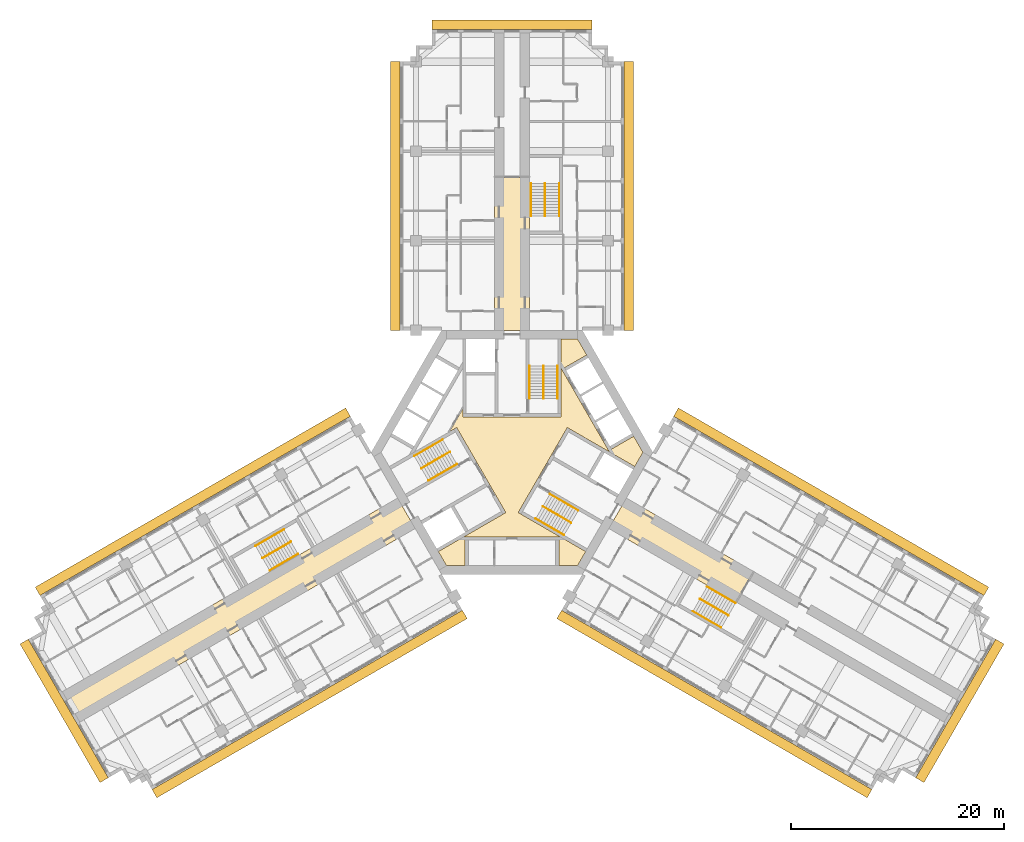
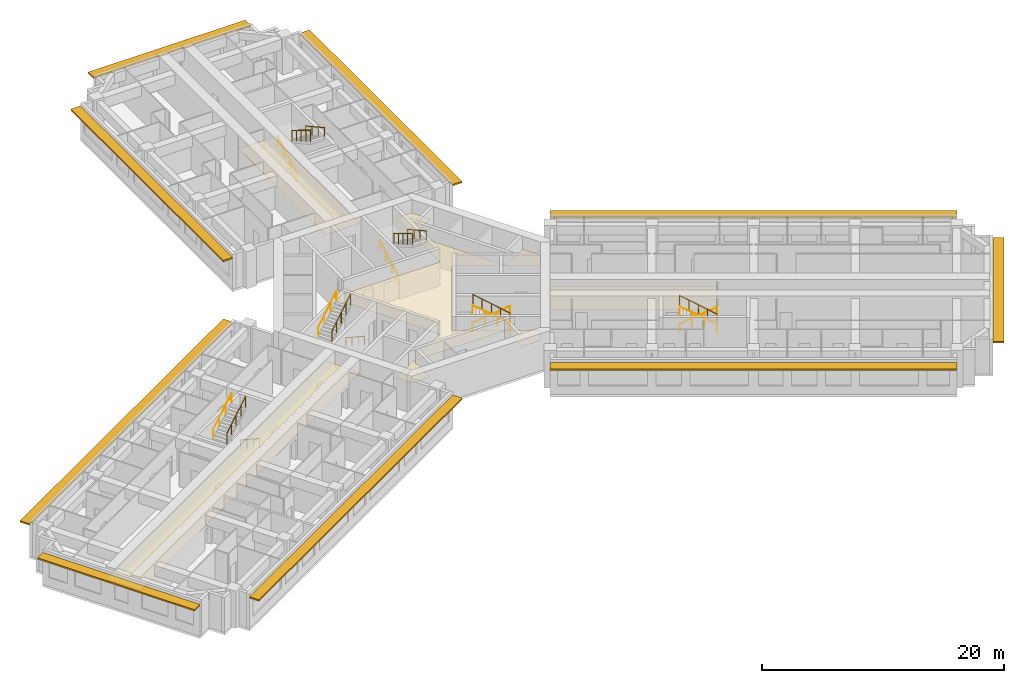
# One storey, part 14 of 14: 18 railings, 4 coverings, 3 shading devices.
"""IFC4 building model written with IfcOpenShell, lengths in metres."""

from ifc_helpers import new_model, si_unit, direction, frame, origin, origin_2d, place, context, subcontext, project, spatial, polyline, rectangle, circle, outline, extrude, material, layer, layer_set, type_object, element, save


model = new_model("IFC4")

# Units and contexts
model_context = context("Model", 3, precision=1e-05, world=origin(), true_north=direction((0.0, 1.0)))
body_context = subcontext(model_context, "Body", "Model", "MODEL_VIEW")
ifc_project = project(units=[si_unit("LENGTHUNIT", "METRE"), si_unit("AREAUNIT", "SQUARE_METRE"), si_unit("VOLUMEUNIT", "CUBIC_METRE"), si_unit("PLANEANGLEUNIT", "RADIAN"), si_unit("MASSUNIT", "GRAM", prefix="KILO")], contexts=[model_context])

# Site, building, storey
site_placement = place(None, origin())
site = spatial("IfcSite", under=ifc_project, at=site_placement, CompositionType="ELEMENT")
building_placement = place(site_placement, origin())
building = spatial("IfcBuilding", under=site, at=building_placement, Name="Impinga Residences", CompositionType="ELEMENT")
storey_placement = place(building_placement, frame((0.0, 0.0, 124.75)))
storey = spatial("IfcBuildingStorey", under=building, at=storey_placement, Name="L30", CompositionType="ELEMENT", Elevation=124.75)

# Coverings
ifc_material_1 = material(Name="Plasterboard 15 mm on steel hangers", Category="steel")
ifc_layer_1 = layer(ifc_material_1, 0.014892578125)
ifc_layer_set_1 = layer_set([ifc_layer_1], Name="Plasterboard 15 mm on steel hangers")
covering_type_1 = type_object("IfcCoveringType", Name="CL1 corridor ceiling, 15 mm plasterboard on hangers", PredefinedType="CEILING", material=ifc_layer_set_1)
covering_1_placement = place(storey_placement, frame((0.0, 0.0, 2.39990234375)))
element("IfcCovering", 1, at=covering_1_placement, inside=storey, type_object=covering_type_1, Name="Corridor ceiling CL1 L30-N00", PredefinedType="CEILING", context=body_context, shape_type="SweptSolid", body=[
    extrude(outline(polyline([(-1.64990234375, 11.431640625), (1.64990234375, 11.431640625), (1.64990234375, 25.781494140625), (-1.64990234375, 25.781494140625), (-1.64990234375, 11.431640625)])), origin(), (0.0, 0.0, 1.0), 0.01513671875),
])
covering_2_placement = place(storey_placement, frame((0.0, 0.0, 2.39990234375)))
element("IfcCovering", 2, at=covering_2_placement, inside=storey, type_object=covering_type_1, Name="Corridor ceiling CL1 L30-W00", PredefinedType="CEILING", context=body_context, shape_type="SweptSolid", body=[
    extrude(outline(polyline([(-9.074951171875, -7.144775390625), (-10.72509765625, -4.286865234375), (-42.16162109375, -22.436767578125), (-40.51171875, -25.294677734375), (-9.074951171875, -7.144775390625)])), origin(), (0.0, 0.0, 1.0), 0.01513671875),
])
covering_3_placement = place(storey_placement, frame((0.0, 0.0, 2.39990234375)))
element("IfcCovering", 3, at=covering_3_placement, inside=storey, type_object=covering_type_1, Name="Corridor ceiling CL1 L30-E00", PredefinedType="CEILING", context=body_context, shape_type="SweptSolid", body=[
    extrude(outline(polyline([(10.72509765625, -4.286865234375), (9.074951171875, -7.144775390625), (20.98291015625, -14.019775390625), (22.6328125, -11.161865234375), (10.72509765625, -4.286865234375)])), origin(), (0.0, 0.0, 1.0), 0.01513671875),
])
ifc_material_2 = material(Name="Mineral fibre tiles 20 mm on exposed grid", Category="mineral fibre")
ifc_layer_2 = layer(ifc_material_2, 0.02001953125)
ifc_layer_set_2 = layer_set([ifc_layer_2], Name="CL2 lift lobby ceiling, 20 mm mineral fibre tiles")
covering_type_2 = type_object("IfcCoveringType", Name="CL2 lift lobby ceiling, 20 mm mineral fibre tiles", PredefinedType="CEILING", material=ifc_layer_set_2)
covering_4_placement = place(storey_placement, frame((0.0, 0.0, 2.39990234375)))
element("IfcCovering", 4, at=covering_4_placement, inside=storey, type_object=covering_type_2, Name="Lift lobby ceiling CL2 L30-C01", PredefinedType="CEILING", context=body_context, shape_type="SweptSolid", body=[
    extrude(outline(polyline([(5.183837890625, 2.318603515625), (0.583984375, -5.648681640625), (6.9072265625, -9.299560546875), (6.13818359375, -10.631591796875), (4.39990234375, -10.631591796875), (4.39990234375, -7.931640625), (-4.39990234375, -7.931640625), (-4.39990234375, -10.631591796875), (-6.13818359375, -10.631591796875), (-6.9072265625, -9.299560546875), (-0.583984375, -5.648681640625), (-5.183837890625, 2.318603515625), (-5.846923828125, 1.935791015625), (-4.60009765625, 4.095703125), (-4.60009765625, 3.330078125), (4.60009765625, 3.330078125), (4.60009765625, 10.631591796875), (6.13818359375, 10.631591796875), (7.007080078125, 9.126220703125), (4.6689453125, 7.7763671875), (9.06884765625, 0.1552734375), (11.4072265625, 1.50537109375), (12.276123046875, 0.0), (11.507080078125, -1.33203125), (5.183837890625, 2.318603515625)])), origin(), (0.0, 0.0, 1.0), 0.02001953125),
])

# Railings
ifc_material_3 = material(Name="Steel guard, powder coated", Category="steel")
railing_type_1 = type_object("IfcRailingType", Name="GR1 stair guard 1100", PredefinedType="GUARDRAIL", material=ifc_material_3)
railing_1_placement = place(storey_placement, frame((2.949951171875, 8.110107421875, 1.875)))
element("IfcRailing", 5, at=railing_1_placement, inside=storey, type_object=railing_type_1, Name="Stair guard GR1 ST1 L30", PredefinedType="GUARDRAIL", context=body_context, shape_type="SweptSolid", body=[
    extrude(circle(Radius=0.02392578125, at=origin_2d()), frame((0.0, 0.0, 1.076171875), z_axis=(0.0, -0.854177636135, 0.519981313056), x_axis=(1.0, 0.0, 0.0)), (0.0, 0.0, 1.0), 3.60595703125),
    extrude(circle(Radius=0.02099609375, at=origin_2d()), origin(), (0.0, 0.0, 1.0), 1.052001953125),
    extrude(circle(Radius=0.02099609375, at=origin_2d()), frame((0.0, -0.77001953125, 0.46875)), (0.0, 0.0, 1.0), 1.052001953125),
    extrude(circle(Radius=0.02099609375, at=origin_2d()), frame((0.0, -1.5400390625, 0.9375)), (0.0, 0.0, 1.0), 1.052001953125),
    extrude(circle(Radius=0.02099609375, at=origin_2d()), frame((0.0, -2.31005859375, 1.40625)), (0.0, 0.0, 1.0), 1.052001953125),
    extrude(circle(Radius=0.02099609375, at=origin_2d()), frame((0.0, -3.080078125, 1.875)), (0.0, 0.0, 1.0), 1.052001953125),
])
railing_2_placement = place(storey_placement, frame((-8.49853515625, -1.500244140625, 1.875)))
element("IfcRailing", 6, at=railing_2_placement, inside=storey, type_object=railing_type_1, Name="Stair guard GR1 ST2 L30", PredefinedType="GUARDRAIL", context=body_context, shape_type="SweptSolid", body=[
    extrude(circle(Radius=0.02392578125, at=origin_2d()), frame((0.0, 0.0, 1.076171875), z_axis=(0.739746383972, 0.427084037168, 0.519975492303), x_axis=(-0.499992328818, 0.866029832698, 0.0)), (0.0, 0.0, 1.0), 3.60595703125),
    extrude(circle(Radius=0.02099609375, at=origin_2d()), origin(), (0.0, 0.0, 1.0), 1.052001953125),
    extrude(circle(Radius=0.02099609375, at=origin_2d()), frame((0.6669921875, 0.385009765625, 0.46875)), (0.0, 0.0, 1.0), 1.052001953125),
    extrude(circle(Radius=0.02099609375, at=origin_2d()), frame((1.333740234375, 0.77001953125, 0.9375)), (0.0, 0.0, 1.0), 1.052001953125),
    extrude(circle(Radius=0.02099609375, at=origin_2d()), frame((2.00048828125, 1.155029296875, 1.40625)), (0.0, 0.0, 1.0), 1.052001953125),
    extrude(circle(Radius=0.02099609375, at=origin_2d()), frame((2.66748046875, 1.5400390625, 1.875)), (0.0, 0.0, 1.0), 1.052001953125),
])
railing_3_placement = place(storey_placement, frame((5.548583984375, -6.60986328125, 1.875)))
element("IfcRailing", 7, at=railing_3_placement, inside=storey, type_object=railing_type_1, Name="Stair guard GR1 ST3 L30", PredefinedType="GUARDRAIL", context=body_context, shape_type="SweptSolid", body=[
    extrude(circle(Radius=0.02392578125, at=origin_2d()), frame((0.0, 0.0, 1.076171875), z_axis=(-0.739746383972, 0.427084037168, 0.519975492303), x_axis=(-0.499992328818, -0.866029832698, 0.0)), (0.0, 0.0, 1.0), 3.60595703125),
    extrude(circle(Radius=0.02099609375, at=origin_2d()), origin(), (0.0, 0.0, 1.0), 1.052001953125),
    extrude(circle(Radius=0.02099609375, at=origin_2d()), frame((-0.6669921875, 0.385009765625, 0.46875)), (0.0, 0.0, 1.0), 1.052001953125),
    extrude(circle(Radius=0.02099609375, at=origin_2d()), frame((-1.333740234375, 0.77001953125, 0.9375)), (0.0, 0.0, 1.0), 1.052001953125),
    extrude(circle(Radius=0.02099609375, at=origin_2d()), frame((-2.00048828125, 1.155029296875, 1.40625)), (0.0, 0.0, 1.0), 1.052001953125),
    extrude(circle(Radius=0.02099609375, at=origin_2d()), frame((-2.66748046875, 1.5400390625, 1.875)), (0.0, 0.0, 1.0), 1.052001953125),
])
railing_4_placement = place(storey_placement, frame((3.10009765625, 25.21142578125, 1.875)))
element("IfcRailing", 8, at=railing_4_placement, inside=storey, type_object=railing_type_1, Name="Stair guard GR1 WS1 L30", PredefinedType="GUARDRAIL", context=body_context, shape_type="SweptSolid", body=[
    extrude(circle(Radius=0.02392578125, at=origin_2d()), frame((0.0, 0.0, 1.076171875), z_axis=(0.0, -0.854159328187, 0.520011386482), x_axis=(1.0, 0.0, 0.0)), (0.0, 0.0, 1.0), 3.605712890625),
    extrude(circle(Radius=0.02099609375, at=origin_2d()), origin(), (0.0, 0.0, 1.0), 1.052001953125),
    extrude(circle(Radius=0.02099609375, at=origin_2d()), frame((0.0, -0.77001953125, 0.46875)), (0.0, 0.0, 1.0), 1.052001953125),
    extrude(circle(Radius=0.02099609375, at=origin_2d()), frame((0.0, -1.5400390625, 0.9375)), (0.0, 0.0, 1.0), 1.052001953125),
    extrude(circle(Radius=0.02099609375, at=origin_2d()), frame((0.0, -2.309814453125, 1.40625)), (0.0, 0.0, 1.0), 1.052001953125),
    extrude(circle(Radius=0.02099609375, at=origin_2d()), frame((0.0, -3.079833984375, 1.875)), (0.0, 0.0, 1.0), 1.052001953125),
])
railing_5_placement = place(storey_placement, frame((-23.3837890625, -9.921142578125, 1.875)))
element("IfcRailing", 9, at=railing_5_placement, inside=storey, type_object=railing_type_1, Name="Stair guard GR1 WS2 L30", PredefinedType="GUARDRAIL", context=body_context, shape_type="SweptSolid", body=[
    extrude(circle(Radius=0.02392578125, at=origin_2d()), frame((0.0, 0.0, 1.076171875), z_axis=(0.739715726454, 0.427105428144, 0.52000153585), x_axis=(-0.500026652407, 0.866010015463, 0.0)), (0.0, 0.0, 1.0), 3.605712890625),
    extrude(circle(Radius=0.02099609375, at=origin_2d()), origin(), (0.0, 0.0, 1.0), 1.052001953125),
    extrude(circle(Radius=0.02099609375, at=origin_2d()), frame((0.666748046875, 0.385009765625, 0.46875)), (0.0, 0.0, 1.0), 1.052001953125),
    extrude(circle(Radius=0.02099609375, at=origin_2d()), frame((1.33349609375, 0.77001953125, 0.9375)), (0.0, 0.0, 1.0), 1.052001953125),
    extrude(circle(Radius=0.02099609375, at=origin_2d()), frame((2.00048828125, 1.155029296875, 1.40625)), (0.0, 0.0, 1.0), 1.052001953125),
    extrude(circle(Radius=0.02099609375, at=origin_2d()), frame((2.667236328125, 1.5400390625, 1.875)), (0.0, 0.0, 1.0), 1.052001953125),
])
railing_6_placement = place(storey_placement, frame((20.283935546875, -15.29052734375, 1.875)))
element("IfcRailing", 10, at=railing_6_placement, inside=storey, type_object=railing_type_1, Name="Stair guard GR1 WS3 L30", PredefinedType="GUARDRAIL", context=body_context, shape_type="SweptSolid", body=[
    extrude(circle(Radius=0.02392578125, at=origin_2d()), frame((0.0, 0.0, 1.076171875), z_axis=(-0.739746383972, 0.427084037168, 0.519975492303), x_axis=(-0.499992328818, -0.866029832698, 0.0)), (0.0, 0.0, 1.0), 3.60595703125),
    extrude(circle(Radius=0.02099609375, at=origin_2d()), origin(), (0.0, 0.0, 1.0), 1.052001953125),
    extrude(circle(Radius=0.02099609375, at=origin_2d()), frame((-0.6669921875, 0.385009765625, 0.46875)), (0.0, 0.0, 1.0), 1.052001953125),
    extrude(circle(Radius=0.02099609375, at=origin_2d()), frame((-1.333740234375, 0.77001953125, 0.9375)), (0.0, 0.0, 1.0), 1.052001953125),
    extrude(circle(Radius=0.02099609375, at=origin_2d()), frame((-2.00048828125, 1.155029296875, 1.40625)), (0.0, 0.0, 1.0), 1.052001953125),
    extrude(circle(Radius=0.02099609375, at=origin_2d()), frame((-2.66748046875, 1.5400390625, 1.875)), (0.0, 0.0, 1.0), 1.052001953125),
])
ifc_material_4 = material(Name="Steel handrail tube 42 mm, powder coated", Category="steel")
railing_type_2 = type_object("IfcRailingType", Name="HR1 stair handrail, 42 mm steel tube, 900 above the pitch line", PredefinedType="HANDRAIL", material=ifc_material_4)
railing_7_placement = place(storey_placement, frame((1.62109375, 5.030029296875, 0.15625)))
element("IfcRailing", 11, at=railing_7_placement, inside=storey, type_object=railing_type_2, Name="Stair handrail HR1 ST1 L30", PredefinedType="HANDRAIL", context=body_context, shape_type="SweptSolid", body=[
    extrude(circle(Radius=0.02099609375, at=origin_2d()), frame((0.0, 0.0, 0.87890625), z_axis=(0.0, 0.873241540666, 0.487287606713), x_axis=(-1.0, 0.0, 0.0)), (0.0, 0.0, 1.0), 3.527099609375),
    extrude(circle(Radius=0.012451171875, at=origin_2d()), origin(), (0.0, 0.0, 1.0), 0.85791015625),
    extrude(circle(Radius=0.012451171875, at=origin_2d()), frame((0.0, 1.026611328125, 0.572998046875)), (0.0, 0.0, 1.0), 0.85791015625),
    extrude(circle(Radius=0.012451171875, at=origin_2d()), frame((0.0, 2.053466796875, 1.145751953125)), (0.0, 0.0, 1.0), 0.85791015625),
    extrude(circle(Radius=0.012451171875, at=origin_2d()), frame((0.0, 3.080078125, 1.71875)), (0.0, 0.0, 1.0), 0.85791015625),
])
railing_8_placement = place(storey_placement, frame((4.279052734375, 8.110107421875, 2.03125)))
element("IfcRailing", 12, at=railing_8_placement, inside=storey, type_object=railing_type_2, Name="Stair handrail HR1 ST1 L30", PredefinedType="HANDRAIL", context=body_context, shape_type="SweptSolid", body=[
    extrude(circle(Radius=0.02099609375, at=origin_2d()), frame((0.0, 0.0, 0.87890625), z_axis=(0.0, -0.873241540666, 0.487287606713), x_axis=(1.0, 0.0, 0.0)), (0.0, 0.0, 1.0), 3.527099609375),
    extrude(circle(Radius=0.012451171875, at=origin_2d()), origin(), (0.0, 0.0, 1.0), 0.85791015625),
    extrude(circle(Radius=0.012451171875, at=origin_2d()), frame((0.0, -1.026611328125, 0.572998046875)), (0.0, 0.0, 1.0), 0.85791015625),
    extrude(circle(Radius=0.012451171875, at=origin_2d()), frame((0.0, -2.053466796875, 1.145751953125)), (0.0, 0.0, 1.0), 0.85791015625),
    extrude(circle(Radius=0.012451171875, at=origin_2d()), frame((0.0, -3.080078125, 1.71875)), (0.0, 0.0, 1.0), 0.85791015625),
])
railing_9_placement = place(storey_placement, frame((-5.16650390625, -1.111083984375, 0.15625)))
element("IfcRailing", 13, at=railing_9_placement, inside=storey, type_object=railing_type_2, Name="Stair handrail HR1 ST2 L30", PredefinedType="HANDRAIL", context=body_context, shape_type="SweptSolid", body=[
    extrude(circle(Radius=0.02099609375, at=origin_2d()), frame((0.0, 0.0, 0.87890625), z_axis=(-0.756255980417, -0.436615662133, 0.487281905742), x_axis=(0.499992328818, -0.866029832698, 0.0)), (0.0, 0.0, 1.0), 3.527099609375),
    extrude(circle(Radius=0.012451171875, at=origin_2d()), origin(), (0.0, 0.0, 1.0), 0.85791015625),
    extrude(circle(Radius=0.012451171875, at=origin_2d()), frame((-0.88916015625, -0.513427734375, 0.572998046875)), (0.0, 0.0, 1.0), 0.85791015625),
    extrude(circle(Radius=0.012451171875, at=origin_2d()), frame((-1.7783203125, -1.026611328125, 1.145751953125)), (0.0, 0.0, 1.0), 0.85791015625),
    extrude(circle(Radius=0.012451171875, at=origin_2d()), frame((-2.66748046875, -1.5400390625, 1.71875)), (0.0, 0.0, 1.0), 0.85791015625),
])
railing_10_placement = place(storey_placement, frame((-9.1630859375, -0.349365234375, 2.03125)))
element("IfcRailing", 14, at=railing_10_placement, inside=storey, type_object=railing_type_2, Name="Stair handrail HR1 ST2 L30", PredefinedType="HANDRAIL", context=body_context, shape_type="SweptSolid", body=[
    extrude(circle(Radius=0.02099609375, at=origin_2d()), frame((0.0, 0.0, 0.87890625), z_axis=(0.756255980417, 0.436615662133, 0.487281905742), x_axis=(-0.499992328818, 0.866029832698, 0.0)), (0.0, 0.0, 1.0), 3.527099609375),
    extrude(circle(Radius=0.012451171875, at=origin_2d()), origin(), (0.0, 0.0, 1.0), 0.85791015625),
    extrude(circle(Radius=0.012451171875, at=origin_2d()), frame((0.88916015625, 0.513427734375, 0.572998046875)), (0.0, 0.0, 1.0), 0.85791015625),
    extrude(circle(Radius=0.012451171875, at=origin_2d()), frame((1.7783203125, 1.026611328125, 1.145751953125)), (0.0, 0.0, 1.0), 0.85791015625),
    extrude(circle(Radius=0.012451171875, at=origin_2d()), frame((2.66748046875, 1.5400390625, 1.71875)), (0.0, 0.0, 1.0), 0.85791015625),
])
railing_11_placement = place(storey_placement, frame((3.545654296875, -3.9189453125, 0.15625)))
element("IfcRailing", 15, at=railing_11_placement, inside=storey, type_object=railing_type_2, Name="Stair handrail HR1 ST3 L30", PredefinedType="HANDRAIL", context=body_context, shape_type="SweptSolid", body=[
    extrude(circle(Radius=0.02099609375, at=origin_2d()), frame((0.0, 0.0, 0.87890625), z_axis=(0.756249203677, -0.436582492228, 0.487322141317), x_axis=(0.499967199496, 0.866044340336, 0.0)), (0.0, 0.0, 1.0), 3.52685546875),
    extrude(circle(Radius=0.012451171875, at=origin_2d()), origin(), (0.0, 0.0, 1.0), 0.85791015625),
    extrude(circle(Radius=0.012451171875, at=origin_2d()), frame((0.88916015625, -0.51318359375, 0.572998046875)), (0.0, 0.0, 1.0), 0.85791015625),
    extrude(circle(Radius=0.012451171875, at=origin_2d()), frame((1.778076171875, -1.026611328125, 1.145751953125)), (0.0, 0.0, 1.0), 0.85791015625),
    extrude(circle(Radius=0.012451171875, at=origin_2d()), frame((2.667236328125, -1.539794921875, 1.71875)), (0.0, 0.0, 1.0), 0.85791015625),
])
railing_12_placement = place(storey_placement, frame((4.884033203125, -7.7607421875, 2.03125)))
element("IfcRailing", 16, at=railing_12_placement, inside=storey, type_object=railing_type_2, Name="Stair handrail HR1 ST3 L30", PredefinedType="HANDRAIL", context=body_context, shape_type="SweptSolid", body=[
    extrude(circle(Radius=0.02099609375, at=origin_2d()), frame((0.0, 0.0, 0.87890625), z_axis=(-0.756255980417, 0.436615662133, 0.487281905742), x_axis=(-0.499992328818, -0.866029832698, 0.0)), (0.0, 0.0, 1.0), 3.527099609375),
    extrude(circle(Radius=0.012451171875, at=origin_2d()), origin(), (0.0, 0.0, 1.0), 0.85791015625),
    extrude(circle(Radius=0.012451171875, at=origin_2d()), frame((-0.88916015625, 0.513427734375, 0.572998046875)), (0.0, 0.0, 1.0), 0.85791015625),
    extrude(circle(Radius=0.012451171875, at=origin_2d()), frame((-1.7783203125, 1.026611328125, 1.145751953125)), (0.0, 0.0, 1.0), 0.85791015625),
    extrude(circle(Radius=0.012451171875, at=origin_2d()), frame((-2.66748046875, 1.5400390625, 1.71875)), (0.0, 0.0, 1.0), 0.85791015625),
])
railing_13_placement = place(storey_placement, frame((1.77099609375, 22.131591796875, 0.15625)))
element("IfcRailing", 17, at=railing_13_placement, inside=storey, type_object=railing_type_2, Name="Stair handrail HR1 WS1 L30", PredefinedType="HANDRAIL", context=body_context, shape_type="SweptSolid", body=[
    extrude(circle(Radius=0.02099609375, at=origin_2d()), frame((0.0, 0.0, 0.87890625), z_axis=(0.0, 0.873225103656, 0.487317061414), x_axis=(-1.0, 0.0, 0.0)), (0.0, 0.0, 1.0), 3.52685546875),
    extrude(circle(Radius=0.012451171875, at=origin_2d()), origin(), (0.0, 0.0, 1.0), 0.85791015625),
    extrude(circle(Radius=0.012451171875, at=origin_2d()), frame((0.0, 1.026611328125, 0.572998046875)), (0.0, 0.0, 1.0), 0.85791015625),
    extrude(circle(Radius=0.012451171875, at=origin_2d()), frame((0.0, 2.05322265625, 1.145751953125)), (0.0, 0.0, 1.0), 0.85791015625),
    extrude(circle(Radius=0.012451171875, at=origin_2d()), frame((0.0, 3.079833984375, 1.71875)), (0.0, 0.0, 1.0), 0.85791015625),
])
railing_14_placement = place(storey_placement, frame((4.428955078125, 25.21142578125, 2.03125)))
element("IfcRailing", 18, at=railing_14_placement, inside=storey, type_object=railing_type_2, Name="Stair handrail HR1 WS1 L30", PredefinedType="HANDRAIL", context=body_context, shape_type="SweptSolid", body=[
    extrude(circle(Radius=0.02099609375, at=origin_2d()), frame((0.0, 0.0, 0.87890625), z_axis=(0.0, -0.873225103656, 0.487317061414), x_axis=(1.0, 0.0, 0.0)), (0.0, 0.0, 1.0), 3.52685546875),
    extrude(circle(Radius=0.012451171875, at=origin_2d()), origin(), (0.0, 0.0, 1.0), 0.85791015625),
    extrude(circle(Radius=0.012451171875, at=origin_2d()), frame((0.0, -1.026611328125, 0.572998046875)), (0.0, 0.0, 1.0), 0.85791015625),
    extrude(circle(Radius=0.012451171875, at=origin_2d()), frame((0.0, -2.05322265625, 1.145751953125)), (0.0, 0.0, 1.0), 0.85791015625),
    extrude(circle(Radius=0.012451171875, at=origin_2d()), frame((0.0, -3.079833984375, 1.71875)), (0.0, 0.0, 1.0), 0.85791015625),
])
railing_15_placement = place(storey_placement, frame((-20.052001953125, -9.531982421875, 0.15625)))
element("IfcRailing", 19, at=railing_15_placement, inside=storey, type_object=railing_type_2, Name="Stair handrail HR1 WS2 L30", PredefinedType="HANDRAIL", context=body_context, shape_type="SweptSolid", body=[
    extrude(circle(Radius=0.02099609375, at=origin_2d()), frame((0.0, 0.0, 0.87890625), z_axis=(-0.756226348243, -0.436638517594, 0.487307413422), x_axis=(0.500026652407, -0.866010015463, 0.0)), (0.0, 0.0, 1.0), 3.527099609375),
    extrude(circle(Radius=0.012451171875, at=origin_2d()), origin(), (0.0, 0.0, 1.0), 0.85791015625),
    extrude(circle(Radius=0.012451171875, at=origin_2d()), frame((-0.88916015625, -0.513427734375, 0.572998046875)), (0.0, 0.0, 1.0), 0.85791015625),
    extrude(circle(Radius=0.012451171875, at=origin_2d()), frame((-1.778076171875, -1.026611328125, 1.145751953125)), (0.0, 0.0, 1.0), 0.85791015625),
    extrude(circle(Radius=0.012451171875, at=origin_2d()), frame((-2.667236328125, -1.5400390625, 1.71875)), (0.0, 0.0, 1.0), 0.85791015625),
])
railing_16_placement = place(storey_placement, frame((-24.04833984375, -8.77001953125, 2.03125)))
element("IfcRailing", 20, at=railing_16_placement, inside=storey, type_object=railing_type_2, Name="Stair handrail HR1 WS2 L30", PredefinedType="HANDRAIL", context=body_context, shape_type="SweptSolid", body=[
    extrude(circle(Radius=0.02099609375, at=origin_2d()), frame((0.0, 0.0, 0.87890625), z_axis=(0.756278834354, 0.436559638319, 0.487296631324), x_axis=(-0.499932877268, 0.866064153644, 0.0)), (0.0, 0.0, 1.0), 3.527099609375),
    extrude(circle(Radius=0.012451171875, at=origin_2d()), origin(), (0.0, 0.0, 1.0), 0.85791015625),
    extrude(circle(Radius=0.012451171875, at=origin_2d()), frame((0.88916015625, 0.51318359375, 0.572998046875)), (0.0, 0.0, 1.0), 0.85791015625),
    extrude(circle(Radius=0.012451171875, at=origin_2d()), frame((1.7783203125, 1.026611328125, 1.145751953125)), (0.0, 0.0, 1.0), 0.85791015625),
    extrude(circle(Radius=0.012451171875, at=origin_2d()), frame((2.66748046875, 1.539794921875, 1.71875)), (0.0, 0.0, 1.0), 0.85791015625),
])
railing_17_placement = place(storey_placement, frame((18.281005859375, -12.599609375, 0.15625)))
element("IfcRailing", 21, at=railing_17_placement, inside=storey, type_object=railing_type_2, Name="Stair handrail HR1 WS3 L30", PredefinedType="HANDRAIL", context=body_context, shape_type="SweptSolid", body=[
    extrude(circle(Radius=0.02099609375, at=origin_2d()), frame((0.0, 0.0, 0.87890625), z_axis=(0.756249203677, -0.436582492228, 0.487322141317), x_axis=(0.499967199496, 0.866044340336, 0.0)), (0.0, 0.0, 1.0), 3.52685546875),
    extrude(circle(Radius=0.012451171875, at=origin_2d()), origin(), (0.0, 0.0, 1.0), 0.85791015625),
    extrude(circle(Radius=0.012451171875, at=origin_2d()), frame((0.88916015625, -0.51318359375, 0.572998046875)), (0.0, 0.0, 1.0), 0.85791015625),
    extrude(circle(Radius=0.012451171875, at=origin_2d()), frame((1.778076171875, -1.026611328125, 1.145751953125)), (0.0, 0.0, 1.0), 0.85791015625),
    extrude(circle(Radius=0.012451171875, at=origin_2d()), frame((2.667236328125, -1.539794921875, 1.71875)), (0.0, 0.0, 1.0), 0.85791015625),
])
railing_18_placement = place(storey_placement, frame((19.619384765625, -16.44140625, 2.03125)))
element("IfcRailing", 22, at=railing_18_placement, inside=storey, type_object=railing_type_2, Name="Stair handrail HR1 WS3 L30", PredefinedType="HANDRAIL", context=body_context, shape_type="SweptSolid", body=[
    extrude(circle(Radius=0.02099609375, at=origin_2d()), frame((0.0, 0.0, 0.87890625), z_axis=(-0.756255980417, 0.436615662133, 0.487281905742), x_axis=(-0.499992328818, -0.866029832698, 0.0)), (0.0, 0.0, 1.0), 3.527099609375),
    extrude(circle(Radius=0.012451171875, at=origin_2d()), origin(), (0.0, 0.0, 1.0), 0.85791015625),
    extrude(circle(Radius=0.012451171875, at=origin_2d()), frame((-0.88916015625, 0.513427734375, 0.572998046875)), (0.0, 0.0, 1.0), 0.85791015625),
    extrude(circle(Radius=0.012451171875, at=origin_2d()), frame((-1.7783203125, 1.026611328125, 1.145751953125)), (0.0, 0.0, 1.0), 0.85791015625),
    extrude(circle(Radius=0.012451171875, at=origin_2d()), frame((-2.66748046875, 1.5400390625, 1.71875)), (0.0, 0.0, 1.0), 0.85791015625),
])

# Shading devices
ifc_material_5 = material(Name="Terracotta sunshade blades on aluminium brackets", Category="masonry")
ifc_layer_3 = layer(ifc_material_5, 0.14990234375)
ifc_layer_set_3 = layer_set([ifc_layer_3], Name="SS1 SUNSHADE terracotta sunshade band 900")
shading_device_type = type_object("IfcShadingDeviceType", Name="SS1 SUNSHADE terracotta sunshade band 900", PredefinedType="USERDEFINED", material=ifc_layer_set_3)
shading_device_1_placement = place(storey_placement, frame((-10.949951171875, 24.031494140625, 3.10009765625), z_axis=(0.0, 0.0, 1.0), x_axis=(0.0, 1.0, 0.0)))
element("IfcShadingDevice", 23, at=shading_device_1_placement, inside=storey, type_object=shading_device_type, Name="SUNSHADE band L30 NORTH WING", ObjectType="SUNSHADE", PredefinedType="USERDEFINED", context=body_context, shape_type="SweptSolid", body=[
    extrude(rectangle(XDim=25.199951171875, YDim=0.89990234375, at=origin_2d()), origin(), (0.0, 0.0, 1.0), 0.14990234375),
    extrude(rectangle(XDim=15.0, YDim=0.89990234375, at=origin_2d()), frame((16.050048828125, -10.949951171875, 0.0), z_axis=(0.0, 0.0, 1.0), x_axis=(0.0, -1.0, 0.0)), (0.0, 0.0, 1.0), 0.14990234375),
    extrude(rectangle(XDim=25.199951171875, YDim=0.89990234375, at=origin_2d()), frame((0.0, -21.89990234375, 0.0), z_axis=(0.0, 0.0, 1.0), x_axis=(-1.0, 0.0, 0.0)), (0.0, 0.0, 1.0), 0.14990234375),
])
shading_device_2_placement = place(storey_placement, frame((-41.986328125, -24.24072265625, 3.10009765625), z_axis=(0.0, 0.0, 1.0), x_axis=(-0.5, 0.866025403784, 0.0)))
element("IfcShadingDevice", 24, at=shading_device_2_placement, inside=storey, type_object=shading_device_type, Name="SUNSHADE band L30 WEST WING", ObjectType="SUNSHADE", PredefinedType="USERDEFINED", context=body_context, shape_type="SweptSolid", body=[
    extrude(rectangle(XDim=15.0, YDim=0.89990234375, at=origin_2d()), origin(), (0.0, 0.0, 1.0), 0.14990234375),
    extrude(rectangle(XDim=33.60009765625, YDim=0.89990234375, at=origin_2d()), frame((10.949951171875, -20.25, 0.0), z_axis=(0.0, 0.0, 1.0), x_axis=(0.0, -1.0, 0.0)), (0.0, 0.0, 1.0), 0.14990234375),
    extrude(rectangle(XDim=33.60009765625, YDim=0.89990234375, at=origin_2d()), frame((-10.949951171875, -20.250244140625, 0.0), z_axis=(0.0, 0.0, 1.0), x_axis=(0.0, 1.0, 0.0)), (0.0, 0.0, 1.0), 0.14990234375),
])
shading_device_3_placement = place(storey_placement, frame((29.92431640625, -4.6328125, 3.10009765625), z_axis=(0.0, 0.0, 1.0), x_axis=(0.866025403784, -0.5, 0.0)))
element("IfcShadingDevice", 25, at=shading_device_3_placement, inside=storey, type_object=shading_device_type, Name="SUNSHADE band L30 EAST WING", ObjectType="SUNSHADE", PredefinedType="USERDEFINED", context=body_context, shape_type="SweptSolid", body=[
    extrude(rectangle(XDim=33.60009765625, YDim=0.89990234375, at=origin_2d()), origin(), (0.0, 0.0, 1.0), 0.14990234375),
    extrude(rectangle(XDim=15.0, YDim=0.89990234375, at=origin_2d()), frame((20.25, -10.949951171875, 0.0), z_axis=(0.0, 0.0, 1.0), x_axis=(0.0, -1.0, 0.0)), (0.0, 0.0, 1.0), 0.14990234375),
    extrude(rectangle(XDim=33.60009765625, YDim=0.89990234375, at=origin_2d()), frame((-0.000244140625, -21.89990234375, 0.0), z_axis=(0.0, 0.0, 1.0), x_axis=(-1.0, 0.0, 0.0)), (0.0, 0.0, 1.0), 0.14990234375),
])

save(model, "model.ifc")
